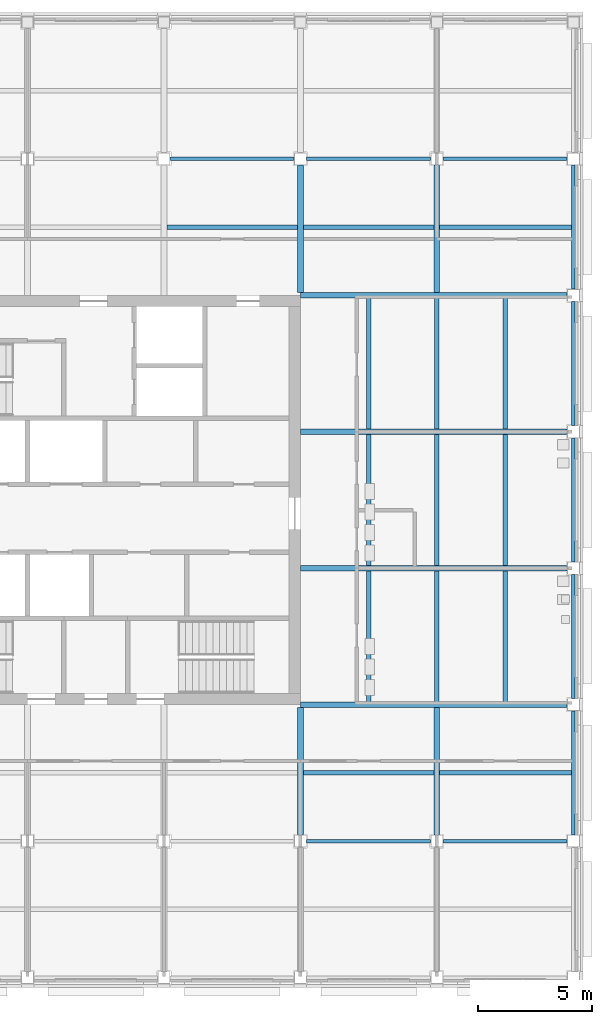
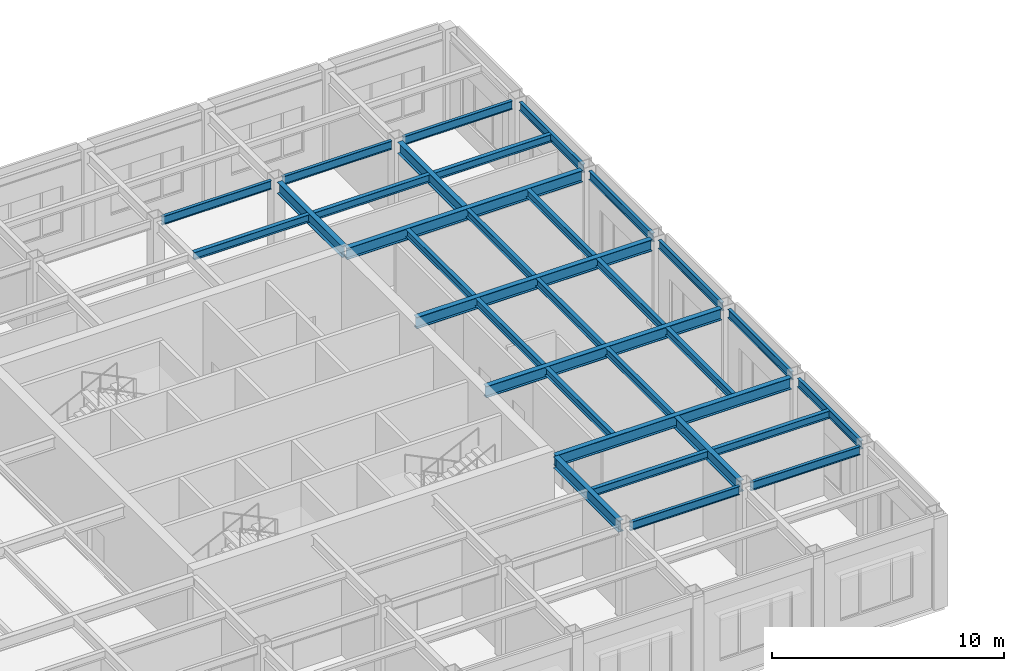
# One storey, part 21 of 76: 32 beams.
"""IFC4 building model written with IfcOpenShell, lengths in metres."""

from ifc_helpers import new_model, si_unit, direction, frame, origin, origin_2d, place, context, subcontext, project, spatial, i_section, extrude, material, material_profile, profile_set, type_object, element, save


model = new_model("IFC4")

# Units and contexts
model_context = context("Model", 3, precision=1e-05, world=origin(), true_north=direction((0.0, 1.0)))
body_context = subcontext(model_context, "Body", "Model", "MODEL_VIEW")
ifc_project = project(units=[si_unit("LENGTHUNIT", "METRE"), si_unit("AREAUNIT", "SQUARE_METRE"), si_unit("VOLUMEUNIT", "CUBIC_METRE"), si_unit("PLANEANGLEUNIT", "RADIAN"), si_unit("MASSUNIT", "GRAM", prefix="KILO")], contexts=[model_context])

# Site, building, storey
site_placement = place(None, origin())
site = spatial("IfcSite", under=ifc_project, at=site_placement, CompositionType="ELEMENT")
building_placement = place(site_placement, origin())
building = spatial("IfcBuilding", under=site, at=building_placement, Name="Aravalli Gate Trade Fair Centre", CompositionType="ELEMENT")
storey_placement = place(building_placement, frame((0.0, 0.0, 10.0)))
storey = spatial("IfcBuildingStorey", under=building, at=storey_placement, Name="L02", CompositionType="ELEMENT", Elevation=10.0)

# Beams
ifc_material = material(Name="Steel E350", Category="steel")
ifc_material_profile_1 = material_profile(ifc_material, i_section(OverallWidth=0.25, OverallDepth=0.60009765625, WebThickness=0.01123046875, FlangeThickness=0.021240234375, at=origin_2d()), Name="ISWB 600")
ifc_profile_set_1 = profile_set([ifc_material_profile_1], Name="Steel E350")
beam_type_1 = type_object("IfcBeamType", Name="Wing core to perimeter girder ISWB 600 (podium floors)", PredefinedType="BEAM", material=ifc_profile_set_1)
for number, where, z_axis, x_axis, name in (
    (1, (190.0, 103.0, 4.5), (1.0, 0.0, 0.0), (0.0, 1.0, 0.0), "Core to perimeter girder PE0 L03"),
    (2, (190.0, 109.0, 4.5), (1.0, 0.0, 0.0), (0.0, 1.0, 0.0), "Core to perimeter girder PE1 L03"),
    (3, (190.0, 115.0, 4.5), (1.0, 0.0, 0.0), (0.0, 1.0, 0.0), "Core to perimeter girder PE2 L03"),
    (4, (190.0, 121.0, 4.5), (1.0, 0.0, 0.0), (0.0, 1.0, 0.0), "Core to perimeter girder PE3 L03"),
):
    element("IfcBeam", number, at=place(storey_placement, frame(where, z_axis=z_axis, x_axis=x_axis)), inside=storey, type_object=beam_type_1, Name=name, PredefinedType="BEAM", context=body_context, shape_type="SweptSolid", body=[
        extrude(i_section(OverallWidth=0.25, OverallDepth=0.60009765625, WebThickness=0.01123046875, FlangeThickness=0.021240234375, at=origin_2d()), origin(), (0.0, 0.0, 1.0), 11.72509765625),
    ])
for number, where, z_axis, x_axis, name in (
    (5, (190.0, 97.27490234375, 4.5), (0.0, 1.0, 0.0), (-1.0, 0.0, 0.0), "Core to perimeter girder PS3b L03"),
    (6, (190.0, 121.125, 4.5), (0.0, 1.0, 0.0), (-1.0, 0.0, 0.0), "Core to perimeter girder PN3a L03"),
):
    element("IfcBeam", number, at=place(storey_placement, frame(where, z_axis=z_axis, x_axis=x_axis)), inside=storey, type_object=beam_type_1, Name=name, PredefinedType="BEAM", context=body_context, shape_type="SweptSolid", body=[
        extrude(i_section(OverallWidth=0.25, OverallDepth=0.60009765625, WebThickness=0.01123046875, FlangeThickness=0.021240234375, at=origin_2d()), origin(), (0.0, 0.0, 1.0), 5.60009765625),
    ])
ifc_material_profile_2 = material_profile(ifc_material, i_section(OverallWidth=0.25, OverallDepth=0.60009765625, WebThickness=0.01123046875, FlangeThickness=0.021240234375, at=origin_2d()), Name="ISWB 600")
ifc_profile_set_2 = profile_set([ifc_material_profile_2], Name="Steel E350")
beam_type_2 = type_object("IfcBeamType", Name="Wing corner transfer girder ISWB 600 (podium floors)", PredefinedType="BEAM", material=ifc_profile_set_2)
for number, where, z_axis, x_axis, name in (
    (7, (196.0, 97.27490234375, 4.5), (0.0, 1.0, 0.0), (-1.0, 0.0, 0.0), "Corner transfer girder CSEyb L03"),
    (8, (196.0, 121.125, 4.5), (0.0, 1.0, 0.0), (-1.0, 0.0, 0.0), "Corner transfer girder CNEya L03"),
):
    element("IfcBeam", number, at=place(storey_placement, frame(where, z_axis=z_axis, x_axis=x_axis)), inside=storey, type_object=beam_type_2, Name=name, PredefinedType="BEAM", context=body_context, shape_type="SweptSolid", body=[
        extrude(i_section(OverallWidth=0.25, OverallDepth=0.60009765625, WebThickness=0.01123046875, FlangeThickness=0.021240234375, at=origin_2d()), origin(), (0.0, 0.0, 1.0), 5.60009765625),
    ])
ifc_material_profile_3 = material_profile(ifc_material, i_section(OverallWidth=0.14990234375, OverallDepth=0.449951171875, WebThickness=0.009521484375, FlangeThickness=0.017333984375, at=origin_2d()), Name="ISMB 450")
ifc_profile_set_3 = profile_set([ifc_material_profile_3], Name="Steel E350")
beam_type_3 = type_object("IfcBeamType", Name="Wing perimeter beam ISMB 450 (podium floors)", PredefinedType="BEAM", material=ifc_profile_set_3)
for number, where, z_axis, x_axis, name in (
    (9, (184.27490234375, 127.0, 4.574951171875), (1.0, 0.0, 0.0), (0.0, 1.0, 0.0), "Perimeter beam EQ4 L03"),
    (10, (190.27490234375, 97.0, 4.574951171875), (1.0, 0.0, 0.0), (0.0, 1.0, 0.0), "Perimeter beam ER5 L03"),
    (11, (190.27490234375, 127.0, 4.574951171875), (1.0, 0.0, 0.0), (0.0, 1.0, 0.0), "Perimeter beam EQ5 L03"),
    (12, (196.27490234375, 97.0, 4.574951171875), (1.0, 0.0, 0.0), (0.0, 1.0, 0.0), "Perimeter beam ER6 L03"),
    (13, (196.27490234375, 127.0, 4.574951171875), (1.0, 0.0, 0.0), (0.0, 1.0, 0.0), "Perimeter beam EQ6 L03"),
    (14, (202.0, 97.27490234375, 4.574951171875), (0.0, 1.0, 0.0), (-1.0, 0.0, 0.0), "Perimeter beam EE1 L03"),
    (15, (202.0, 103.27490234375, 4.574951171875), (0.0, 1.0, 0.0), (-1.0, 0.0, 0.0), "Perimeter beam EE2 L03"),
    (16, (202.0, 109.27490234375, 4.574951171875), (0.0, 1.0, 0.0), (-1.0, 0.0, 0.0), "Perimeter beam EE3 L03"),
    (17, (202.0, 115.27490234375, 4.574951171875), (0.0, 1.0, 0.0), (-1.0, 0.0, 0.0), "Perimeter beam EE4 L03"),
    (18, (202.0, 121.27490234375, 4.574951171875), (0.0, 1.0, 0.0), (-1.0, 0.0, 0.0), "Perimeter beam EE5 L03"),
):
    element("IfcBeam", number, at=place(storey_placement, frame(where, z_axis=z_axis, x_axis=x_axis)), inside=storey, type_object=beam_type_3, Name=name, PredefinedType="BEAM", context=body_context, shape_type="SweptSolid", body=[
        extrude(i_section(OverallWidth=0.14990234375, OverallDepth=0.449951171875, WebThickness=0.009521484375, FlangeThickness=0.017333984375, at=origin_2d()), origin(), (0.0, 0.0, 1.0), 5.4501953125),
    ])
ifc_material_profile_4 = material_profile(ifc_material, i_section(OverallWidth=0.199951171875, OverallDepth=0.39990234375, WebThickness=0.008544921875, FlangeThickness=0.012939453125, at=origin_2d()), Name="ISWB 400")
ifc_profile_set_4 = profile_set([ifc_material_profile_4], Name="Steel E350")
beam_type_4 = type_object("IfcBeamType", Name="Wing secondary beam ISWB 400 (podium floors)", PredefinedType="BEAM", material=ifc_profile_set_4)
beam_1_placement = place(storey_placement, frame((190.125, 100.0, 4.60009765625), z_axis=(1.0, 0.0, 0.0), x_axis=(0.0, 1.0, 0.0)))
element("IfcBeam", 19, at=beam_1_placement, inside=storey, type_object=beam_type_4, Name="Secondary beam KES10 L03", PredefinedType="BEAM", context=body_context, shape_type="SweptSolid", body=[
    extrude(i_section(OverallWidth=0.199951171875, OverallDepth=0.39990234375, WebThickness=0.008544921875, FlangeThickness=0.012939453125, at=origin_2d()), origin(), (0.0, 0.0, 1.0), 5.75),
])
beam_2_placement = place(storey_placement, frame((196.125, 100.0, 4.60009765625), z_axis=(1.0, 0.0, 0.0), x_axis=(0.0, 1.0, 0.0)))
element("IfcBeam", 20, at=beam_2_placement, inside=storey, type_object=beam_type_4, Name="Secondary beam KES11 L03", PredefinedType="BEAM", context=body_context, shape_type="SweptSolid", body=[
    extrude(i_section(OverallWidth=0.199951171875, OverallDepth=0.39990234375, WebThickness=0.008544921875, FlangeThickness=0.012939453125, at=origin_2d()), origin(), (0.0, 0.0, 1.0), 5.800048828125),
])
beam_3_placement = place(storey_placement, frame((190.125, 124.0, 4.60009765625), z_axis=(1.0, 0.0, 0.0), x_axis=(0.0, 1.0, 0.0)))
element("IfcBeam", 21, at=beam_3_placement, inside=storey, type_object=beam_type_4, Name="Secondary beam KEN00 L03", PredefinedType="BEAM", context=body_context, shape_type="SweptSolid", body=[
    extrude(i_section(OverallWidth=0.199951171875, OverallDepth=0.39990234375, WebThickness=0.008544921875, FlangeThickness=0.012939453125, at=origin_2d()), origin(), (0.0, 0.0, 1.0), 5.75),
])
beam_4_placement = place(storey_placement, frame((196.125, 124.0, 4.60009765625), z_axis=(1.0, 0.0, 0.0), x_axis=(0.0, 1.0, 0.0)))
element("IfcBeam", 22, at=beam_4_placement, inside=storey, type_object=beam_type_4, Name="Secondary beam KEN01 L03", PredefinedType="BEAM", context=body_context, shape_type="SweptSolid", body=[
    extrude(i_section(OverallWidth=0.199951171875, OverallDepth=0.39990234375, WebThickness=0.008544921875, FlangeThickness=0.012939453125, at=origin_2d()), origin(), (0.0, 0.0, 1.0), 5.800048828125),
])
for number, where, z_axis, x_axis, name in (
    (23, (193.0, 103.125, 4.60009765625), (0.0, 1.0, 0.0), (-1.0, 0.0, 0.0), "Secondary beam BE0193 L03"),
    (24, (196.0, 103.125, 4.60009765625), (0.0, 1.0, 0.0), (-1.0, 0.0, 0.0), "Secondary beam BE0196 L03"),
    (25, (199.0, 103.125, 4.60009765625), (0.0, 1.0, 0.0), (-1.0, 0.0, 0.0), "Secondary beam BE0199 L03"),
    (26, (193.0, 109.125, 4.60009765625), (0.0, 1.0, 0.0), (-1.0, 0.0, 0.0), "Secondary beam BE1193 L03"),
    (27, (196.0, 109.125, 4.60009765625), (0.0, 1.0, 0.0), (-1.0, 0.0, 0.0), "Secondary beam BE1196 L03"),
    (28, (199.0, 109.125, 4.60009765625), (0.0, 1.0, 0.0), (-1.0, 0.0, 0.0), "Secondary beam BE1199 L03"),
    (29, (193.0, 115.125, 4.60009765625), (0.0, 1.0, 0.0), (-1.0, 0.0, 0.0), "Secondary beam BE2193 L03"),
    (30, (196.0, 115.125, 4.60009765625), (0.0, 1.0, 0.0), (-1.0, 0.0, 0.0), "Secondary beam BE2196 L03"),
    (31, (199.0, 115.125, 4.60009765625), (0.0, 1.0, 0.0), (-1.0, 0.0, 0.0), "Secondary beam BE2199 L03"),
    (32, (184.125, 124.0, 4.60009765625), (1.0, 0.0, 0.0), (0.0, 1.0, 0.0), "Secondary beam BN2124 L03"),
):
    element("IfcBeam", number, at=place(storey_placement, frame(where, z_axis=z_axis, x_axis=x_axis)), inside=storey, type_object=beam_type_4, Name=name, PredefinedType="BEAM", context=body_context, shape_type="SweptSolid", body=[
        extrude(i_section(OverallWidth=0.199951171875, OverallDepth=0.39990234375, WebThickness=0.008544921875, FlangeThickness=0.012939453125, at=origin_2d()), origin(), (0.0, 0.0, 1.0), 5.75),
    ])

save(model, "model.ifc")
